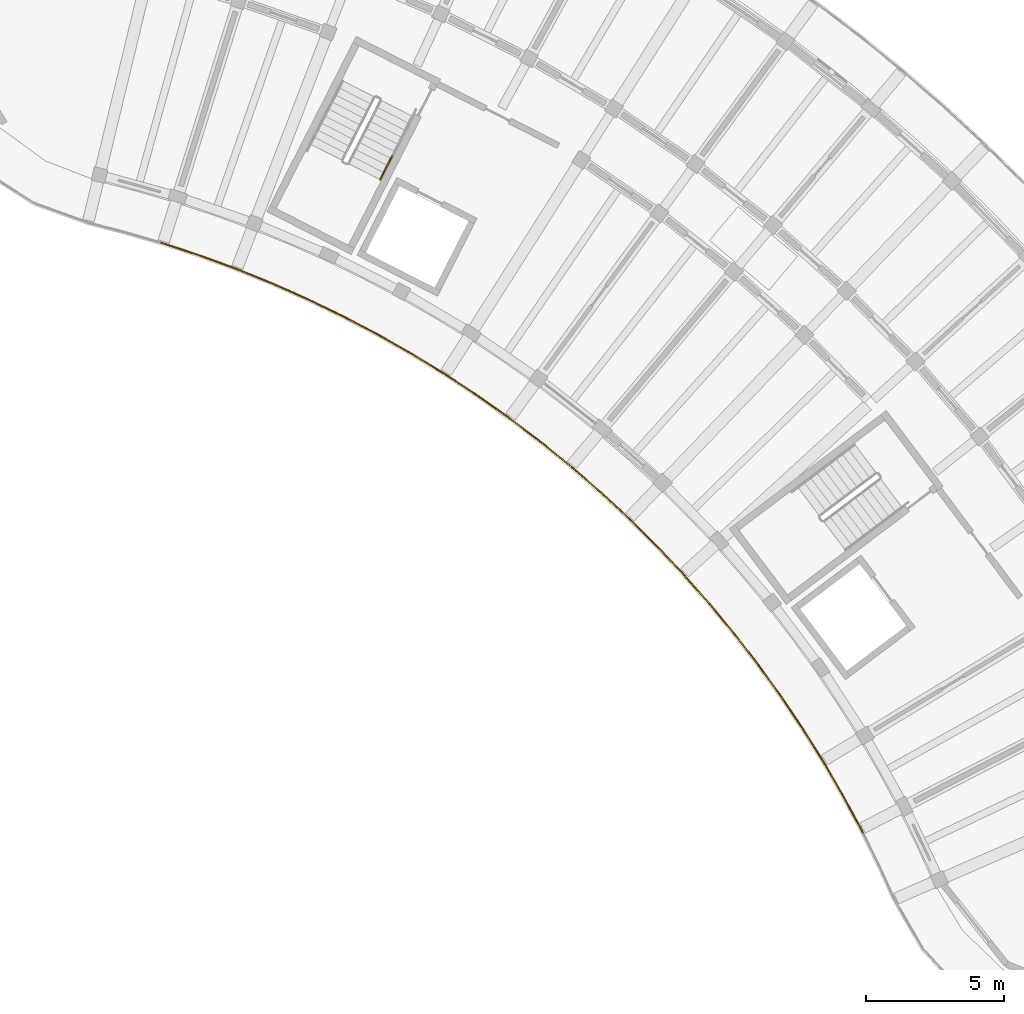
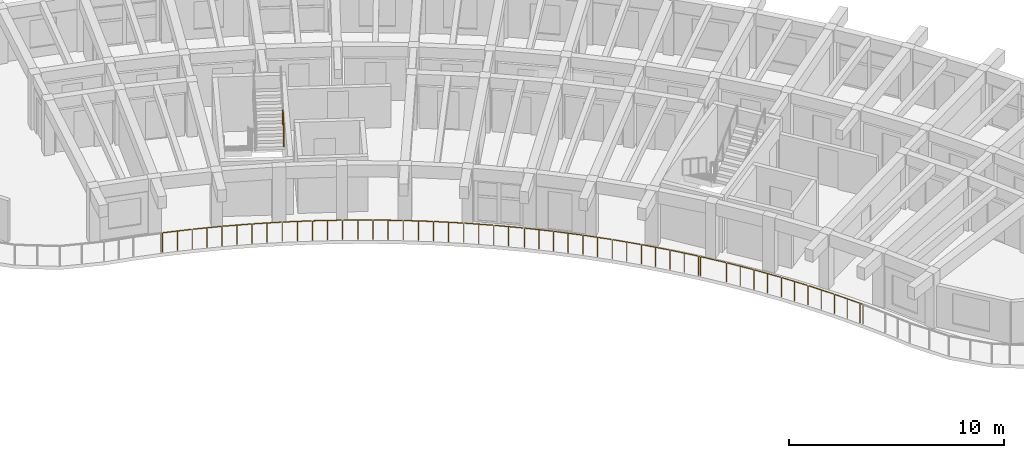
# One storey, part 58 of 62: 5 railings.
"""IFC4 building model written with IfcOpenShell, lengths in metres."""

import ifcopenshell
import ifcopenshell.guid

model = None  # the IFC model being written
_history = None  # IfcOwnerHistory: only IFC2X3 demands one
_inside = {}  # id of a spatial element -> (the spatial element, [elements in it])
_under = {}  # id of a project, library or spatial element -> (it, [spatial elements below it])
_declared = {}  # id of a project -> (the project, [libraries it declares])
_typed = {}  # id of a type object -> (the type object, [elements of that type])
_made_of = {}  # id of a material, layer set ... -> (it, [elements and type objects made of it])


def new_model(schema):
    """Start an empty IFC model of exactly this schema.

    Asked for "IFC4X3", IfcOpenShell would pick the latest addendum, in which some entities
    have other attributes; the version numbers below select the first issue.
    IFC2X3 requires an IfcOwnerHistory on every rooted entity: one is made here for all.
    """
    global model, _history
    if schema == "IFC4X3":
        model = ifcopenshell.file(schema_version=(4, 3, 0, 0))
    else:
        model = ifcopenshell.file(schema=schema)
    _inside.clear()
    _under.clear()
    _declared.clear()
    _typed.clear()
    _made_of.clear()
    _history = None
    if model.schema == "IFC2X3":
        org = make("IfcOrganization", Name="unknown")
        user = make(
            "IfcPersonAndOrganization",
            ThePerson=make("IfcPerson", FamilyName="unknown"),
            TheOrganization=org,
        )
        app = make(
            "IfcApplication",
            ApplicationDeveloper=org,
            Version="unknown",
            ApplicationFullName="unknown",
            ApplicationIdentifier="unknown",
        )
        _history = make(
            "IfcOwnerHistory",
            OwningUser=user,
            OwningApplication=app,
            ChangeAction="ADDED",
            CreationDate=0,
        )
    return model


def make(cls, **values):
    """One entity of the class cls with the attributes given. An attribute that is None is left unset."""
    return model.create_entity(
        cls, **{name: value for name, value in values.items() if value is not None}
    )


def rooted(cls, **values):
    """An entity with a GlobalId (a new one), such as an element, a storey or a relation."""
    return make(cls, GlobalId=ifcopenshell.guid.new(), OwnerHistory=_history, **values)


def si_unit(unit_type, name, prefix=None):
    """IfcSIUnit, for example si_unit("LENGTHUNIT", "METRE", prefix="MILLI")."""
    return make("IfcSIUnit", UnitType=unit_type, Prefix=prefix, Name=name)


def assignment(units):
    """IfcUnitAssignment: the units of a project."""
    return None if units is None else make("IfcUnitAssignment", Units=units)


def point(xyz):
    """IfcCartesianPoint."""
    return None if xyz is None else make("IfcCartesianPoint", Coordinates=xyz)


def direction(xyz):
    """IfcDirection."""
    return None if xyz is None else make("IfcDirection", DirectionRatios=xyz)


def frame(location, z_axis=None, x_axis=None):
    """IfcAxis2Placement3D, a coordinate frame: its origin and axes. An axis left out is left unset."""
    return make(
        "IfcAxis2Placement3D",
        Location=point(location),
        Axis=direction(z_axis),
        RefDirection=direction(x_axis),
    )


def frame_2d(location, x_axis=None):
    """IfcAxis2Placement2D, a coordinate frame in the plane: its origin and x axis."""
    return make(
        "IfcAxis2Placement2D", Location=point(location), RefDirection=direction(x_axis)
    )


def origin():
    """The frame at (0, 0, 0) with its axes left unset."""
    return frame((0.0, 0.0, 0.0))


def origin_2d():
    """The frame at (0, 0) in the plane with its x axis left unset."""
    return frame_2d((0.0, 0.0))


def place(relative_to, where):
    """IfcLocalPlacement: puts the frame where relative to a parent placement (None: the world)."""
    return make(
        "IfcLocalPlacement", PlacementRelTo=relative_to, RelativePlacement=where
    )


def context(
    kind, dimensions, precision=None, world=None, true_north=None, identifier=None
):
    """IfcGeometricRepresentationContext, for example the 3D "Model" context."""
    return make(
        "IfcGeometricRepresentationContext",
        ContextIdentifier=identifier,
        ContextType=kind,
        CoordinateSpaceDimension=dimensions,
        Precision=precision,
        WorldCoordinateSystem=world,
        TrueNorth=true_north,
    )


def subcontext(parent, identifier, kind, view, scale=None):
    """IfcGeometricRepresentationSubContext, for example "Body" below "Model"."""
    return make(
        "IfcGeometricRepresentationSubContext",
        ContextIdentifier=identifier,
        ContextType=kind,
        ParentContext=parent,
        TargetScale=scale,
        TargetView=view,
    )


def project(units=None, contexts=None):
    """IfcProject with its units and contexts."""
    return rooted(
        "IfcProject",
        Name="project",
        RepresentationContexts=contexts,
        UnitsInContext=assignment(units),
    )


def spatial(cls, under=None, at=None, **own):
    """A site, building, storey or space (cls), placed at a placement, below another one or the project."""
    s = rooted(cls, ObjectPlacement=at, **own)
    if under is not None:
        _under.setdefault(under.id(), (under, []))[1].append(s)
    return s


def profile(cls, at=None, kind="AREA", **sizes):
    """A parametric profile (cls). Its sizes go by their IFC names, for example OverallWidth=200.0."""
    return make(cls, ProfileType=kind, Position=at, **sizes)


def circle(**sizes):
    """IfcCircleProfileDef."""
    return profile("IfcCircleProfileDef", **sizes)


def extrude(swept, where, along, depth):
    """IfcExtrudedAreaSolid: the profile swept, set in the frame where, extruded along a direction by depth."""
    return make(
        "IfcExtrudedAreaSolid",
        SweptArea=swept,
        Position=where,
        ExtrudedDirection=direction(along),
        Depth=depth,
    )


def shape(context_of_items, identifier, shape_type, items):
    """IfcShapeRepresentation: the items that make up one representation, for example the "Body"."""
    return make(
        "IfcShapeRepresentation",
        ContextOfItems=context_of_items,
        RepresentationIdentifier=identifier,
        RepresentationType=shape_type,
        Items=items,
    )


def material(Name=None, Category=None):
    """IfcMaterial."""
    return make("IfcMaterial", Name=Name, Category=Category)


def made_of(thing, what):
    """Note that an element or type object is made of a material, layer set ...; save() writes the relation."""
    if what is not None:
        _made_of.setdefault(what.id(), (what, []))[1].append(thing)
    return thing


def type_object(cls, material=None, **own):
    """A type object (cls), such as IfcWallType, which elements share."""
    return made_of(rooted(cls, **own), material)


def element(
    cls,
    number,
    at=None,
    inside=None,
    cuts=None,
    type_object=None,
    material=None,
    context=None,
    identifier="Body",
    shape_type=None,
    held_by="IfcProductDefinitionShape",
    body=None,
    shapes=None,
    **own,
):
    """One element of the class cls, such as IfcWall. Its Tag is "e" and its number.

    at: its placement. inside: the storey or other place that contains it. cuts: it is an
    opening in that element (IfcRelVoidsElement). A single representation is given by context,
    identifier, shape_type and body (its items); several are given by shapes. held_by: the class
    of the entity that holds the representations. save() writes the other relations.
    """
    e = rooted(cls, Tag="e%d" % number, ObjectPlacement=at, **own)
    if body is not None:
        shapes = [shape(context, identifier, shape_type, body)]
    if shapes is not None:
        e.Representation = make(held_by, Representations=shapes)
    if inside is not None:
        _inside.setdefault(inside.id(), (inside, []))[1].append(e)
    if cuts is not None:
        rooted(
            "IfcRelVoidsElement", RelatingBuildingElement=cuts, RelatedOpeningElement=e
        )
    if type_object is not None:
        _typed.setdefault(type_object.id(), (type_object, []))[1].append(e)
    return made_of(e, material)


def aggregate(whole, parts):
    """IfcRelAggregates: a whole, such as a stair, and the parts it consists of."""
    return rooted("IfcRelAggregates", RelatingObject=whole, RelatedObjects=parts)


def save(model, path):
    """Write the relations noted so far, then the file.

    IfcRelAggregates (storeys below a building ...), IfcRelContainedInSpatialStructure (elements
    in a storey), IfcRelDefinesByType, IfcRelAssociatesMaterial and IfcRelDeclares: one each for
    every whole, place, type object, material and project.
    """
    for whole, parts in _under.values():
        aggregate(whole, parts)
    for where, things in _inside.values():
        rooted(
            "IfcRelContainedInSpatialStructure",
            RelatedElements=things,
            RelatingStructure=where,
        )
    for kind, things in _typed.values():
        rooted("IfcRelDefinesByType", RelatedObjects=things, RelatingType=kind)
    for what, things in _made_of.values():
        rooted("IfcRelAssociatesMaterial", RelatedObjects=things, RelatingMaterial=what)
    for by, libraries in _declared.values():
        rooted("IfcRelDeclares", RelatingContext=by, RelatedDefinitions=libraries)
    model.write(path)


model = new_model("IFC4")

# Units and contexts
model_context = context("Model", 3, precision=1e-05, world=origin(), true_north=direction((0.0, 1.0)))
body_context = subcontext(model_context, "Body", "Model", "MODEL_VIEW")
ifc_project = project(units=[si_unit("LENGTHUNIT", "METRE"), si_unit("AREAUNIT", "SQUARE_METRE"), si_unit("VOLUMEUNIT", "CUBIC_METRE"), si_unit("PLANEANGLEUNIT", "RADIAN"), si_unit("MASSUNIT", "GRAM", prefix="KILO")], contexts=[model_context])

# Site, building, storey
site_placement = place(None, origin())
site = spatial("IfcSite", under=ifc_project, at=site_placement, CompositionType="ELEMENT")
building_placement = place(site_placement, origin())
building = spatial("IfcBuilding", under=site, at=building_placement, Name="Tanwirah Colonnade Gardens", CompositionType="ELEMENT")
storey_placement = place(building_placement, frame((0.0, 0.0, 32.360107421875)))
storey = spatial("IfcBuildingStorey", under=building, at=storey_placement, Name="L09", CompositionType="ELEMENT", Elevation=32.360107421875)

# Railings
ifc_material_1 = material(Name="Precast concrete C40/50", Category="concrete")
railing_type_1 = type_object("IfcRailingType", Name="BAL-EXT112", PredefinedType="BALUSTRADE", material=ifc_material_1)
railing_1_placement = place(storey_placement, frame((158.985595703125, 79.654296875, 0.0)))
element("IfcRailing", 1, at=railing_1_placement, inside=storey, type_object=railing_type_1, Name="Block B L09 Balcony Ribbon Balustrade 2", PredefinedType="BALUSTRADE", context=body_context, shape_type="SweptSolid", body=[
    extrude(circle(Radius=0.02392578125, at=origin_2d()), frame((-0.013916015625, 0.028076171875, 1.09619140625), z_axis=(-0.444126723347, 0.895963980085, 0.0), x_axis=(-0.895963980085, -0.444126723347, 0.0)), (0.0, 0.0, 1.0), 0.095703125),
    extrude(circle(Radius=0.02392578125, at=origin_2d()), frame((-0.08642578125, 0.171630859375, 1.09619140625), z_axis=(-0.473716211853, 0.880677552018, 0.0), x_axis=(-0.880677552018, -0.473716211853, 0.0)), (0.0, 0.0, 1.0), 1.341796875),
    extrude(circle(Radius=0.02392578125, at=origin_2d()), frame((-0.753662109375, 1.41015625, 1.09619140625), z_axis=(-0.502378729104, 0.864647681165, 0.0), x_axis=(-0.864647681165, -0.502378729104, 0.0)), (0.0, 0.0, 1.0), 1.342041015625),
    extrude(circle(Radius=0.02392578125, at=origin_2d()), frame((-1.461669921875, 2.626220703125, 1.09619140625), z_axis=(-0.530764445851, 0.847519382091, 0.0), x_axis=(-0.847519382091, -0.530764445851, 0.0)), (0.0, 0.0, 1.0), 1.341796875),
    extrude(circle(Radius=0.02392578125, at=origin_2d()), frame((-2.20947265625, 3.81787109375, 1.09619140625), z_axis=(-0.558385571779, 0.829581553091, 0.0), x_axis=(-0.829581553091, -0.558385571779, 0.0)), (0.0, 0.0, 1.0), 1.341796875),
    extrude(circle(Radius=0.02392578125, at=origin_2d()), frame((-2.995849609375, 4.984619140625, 1.09619140625), z_axis=(-0.585522290474, 0.810656306556, 0.0), x_axis=(-0.810656306556, -0.585522290474, 0.0)), (0.0, 0.0, 1.0), 1.341796875),
    extrude(circle(Radius=0.02392578125, at=origin_2d()), frame((-3.8203125, 6.12451171875, 1.09619140625), z_axis=(-0.611852265723, 0.790972063305, 0.0), x_axis=(-0.790972063305, -0.611852265723, 0.0)), (0.0, 0.0, 1.0), 1.241943359375),
    extrude(circle(Radius=0.02099609375, at=origin_2d()), origin(), (0.0, 0.0, 1.0), 1.069091796875),
    extrude(circle(Radius=0.02099609375, at=origin_2d()), frame((-0.0703125, 0.141845703125, 0.0)), (0.0, 0.0, 1.0), 1.069091796875),
    extrude(circle(Radius=0.02099609375, at=origin_2d()), frame((-0.404296875, 0.762451171875, 0.0)), (0.0, 0.0, 1.0), 1.069091796875),
    extrude(circle(Radius=0.02099609375, at=origin_2d()), frame((-0.73681640625, 1.380859375, 0.0)), (0.0, 0.0, 1.0), 1.069091796875),
    extrude(circle(Radius=0.02099609375, at=origin_2d()), frame((-1.0908203125, 1.990234375, 0.0)), (0.0, 0.0, 1.0), 1.069091796875),
    extrude(circle(Radius=0.02099609375, at=origin_2d()), frame((-1.443603515625, 2.597412109375, 0.0)), (0.0, 0.0, 1.0), 1.069091796875),
    extrude(circle(Radius=0.02099609375, at=origin_2d()), frame((-1.81787109375, 3.19482421875, 0.0)), (0.0, 0.0, 1.0), 1.069091796875),
    extrude(circle(Radius=0.02099609375, at=origin_2d()), frame((-2.1904296875, 3.789794921875, 0.0)), (0.0, 0.0, 1.0), 1.069091796875),
    extrude(circle(Radius=0.02099609375, at=origin_2d()), frame((-2.583984375, 4.37451171875, 0.0)), (0.0, 0.0, 1.0), 1.069091796875),
    extrude(circle(Radius=0.02099609375, at=origin_2d()), frame((-2.97607421875, 4.95703125, 0.0)), (0.0, 0.0, 1.0), 1.069091796875),
    extrude(circle(Radius=0.02099609375, at=origin_2d()), frame((-3.388671875, 5.5283203125, 0.0)), (0.0, 0.0, 1.0), 1.069091796875),
    extrude(circle(Radius=0.02099609375, at=origin_2d()), frame((-3.7998046875, 6.09765625, 0.0)), (0.0, 0.0, 1.0), 1.069091796875),
    extrude(circle(Radius=0.02099609375, at=origin_2d()), frame((-4.599365234375, 7.131591796875, 0.0)), (0.0, 0.0, 1.0), 1.069091796875),
])
railing_2_placement = place(storey_placement, frame((154.38623046875, 86.785888671875, 0.0)))
element("IfcRailing", 2, at=railing_2_placement, inside=storey, type_object=railing_type_1, Name="Block B L09 Balcony Ribbon Balustrade 3", PredefinedType="BALUSTRADE", context=body_context, shape_type="SweptSolid", body=[
    extrude(circle(Radius=0.02392578125, at=origin_2d()), frame((-0.01904296875, 0.024658203125, 1.09619140625), z_axis=(-0.610890988674, 0.791714721321, 0.0), x_axis=(-0.791714721321, -0.610890988674, 0.0)), (0.0, 0.0, 1.0), 0.037353515625),
    extrude(circle(Radius=0.02392578125, at=origin_2d()), frame((-0.082763671875, 0.105224609375, 1.09619140625), z_axis=(-0.637581943595, 0.770382544715, 0.0), x_axis=(-0.770382544715, -0.637581943595, 0.0)), (0.0, 0.0, 1.0), 1.342041015625),
    extrude(circle(Radius=0.02392578125, at=origin_2d()), frame((-0.980712890625, 1.1884765625, 1.09619140625), z_axis=(-0.662581384852, 0.748989925464, 0.0), x_axis=(-0.748989925464, -0.662581384852, 0.0)), (0.0, 0.0, 1.0), 1.341796875),
    extrude(circle(Radius=0.02392578125, at=origin_2d()), frame((-1.91357421875, 2.241455078125, 1.09619140625), z_axis=(-0.687011382404, 0.726646654466, 0.0), x_axis=(-0.726646654466, -0.687011382404, 0.0)), (0.0, 0.0, 1.0), 1.341796875),
    extrude(circle(Radius=0.02392578125, at=origin_2d()), frame((-2.880859375, 3.26318359375, 1.09619140625), z_axis=(-0.710488556831, 0.703708754111, 0.0), x_axis=(-0.703708754111, -0.710488556831, 0.0)), (0.0, 0.0, 1.0), 1.341796875),
    extrude(circle(Radius=0.02392578125, at=origin_2d()), frame((-3.88134765625, 4.25244140625, 1.09619140625), z_axis=(-0.73336899588, 0.679830799451, 0.0), x_axis=(-0.679830799451, -0.73336899588, 0.0)), (0.0, 0.0, 1.0), 1.342041015625),
    extrude(circle(Radius=0.02392578125, at=origin_2d()), frame((-4.9140625, 5.208251953125, 1.09619140625), z_axis=(-0.755334207586, 0.655339785799, 0.0), x_axis=(-0.655339785799, -0.755334207586, 0.0)), (0.0, 0.0, 1.0), 1.2998046875),
    extrude(circle(Radius=0.02099609375, at=origin_2d()), origin(), (0.0, 0.0, 1.0), 1.069091796875),
    extrude(circle(Radius=0.02099609375, at=origin_2d()), frame((-0.06103515625, 0.0791015625, 0.0)), (0.0, 0.0, 1.0), 1.069091796875),
    extrude(circle(Radius=0.02099609375, at=origin_2d()), frame((-0.510498046875, 0.6220703125, 0.0)), (0.0, 0.0, 1.0), 1.069091796875),
    extrude(circle(Radius=0.02099609375, at=origin_2d()), frame((-0.958251953125, 1.1630859375, 0.0)), (0.0, 0.0, 1.0), 1.069091796875),
    extrude(circle(Radius=0.02099609375, at=origin_2d()), frame((-1.42529296875, 1.69091796875, 0.0)), (0.0, 0.0, 1.0), 1.069091796875),
    extrude(circle(Radius=0.02099609375, at=origin_2d()), frame((-1.890380859375, 2.216796875, 0.0)), (0.0, 0.0, 1.0), 1.069091796875),
    extrude(circle(Radius=0.02099609375, at=origin_2d()), frame((-2.37451171875, 2.72900390625, 0.0)), (0.0, 0.0, 1.0), 1.069091796875),
    extrude(circle(Radius=0.02099609375, at=origin_2d()), frame((-2.85693359375, 3.2392578125, 0.0)), (0.0, 0.0, 1.0), 1.069091796875),
    extrude(circle(Radius=0.02099609375, at=origin_2d()), frame((-3.357421875, 3.7353515625, 0.0)), (0.0, 0.0, 1.0), 1.069091796875),
    extrude(circle(Radius=0.02099609375, at=origin_2d()), frame((-3.8564453125, 4.2294921875, 0.0)), (0.0, 0.0, 1.0), 1.069091796875),
    extrude(circle(Radius=0.02099609375, at=origin_2d()), frame((-4.37353515625, 4.70849609375, 0.0)), (0.0, 0.0, 1.0), 1.069091796875),
    extrude(circle(Radius=0.02099609375, at=origin_2d()), frame((-4.888427734375, 5.18603515625, 0.0)), (0.0, 0.0, 1.0), 1.069091796875),
    extrude(circle(Radius=0.02099609375, at=origin_2d()), frame((-5.40478515625, 5.63427734375, 0.0)), (0.0, 0.0, 1.0), 1.069091796875),
    extrude(circle(Radius=0.02099609375, at=origin_2d()), frame((-5.91943359375, 6.08056640625, 0.0)), (0.0, 0.0, 1.0), 1.069091796875),
])
railing_3_placement = place(storey_placement, frame((148.466796875, 92.866455078125, 0.0)))
element("IfcRailing", 3, at=railing_3_placement, inside=storey, type_object=railing_type_1, Name="Block B L09 Balcony Ribbon Balustrade 4", PredefinedType="BALUSTRADE", context=body_context, shape_type="SweptSolid", body=[
    extrude(circle(Radius=0.02392578125, at=origin_2d()), frame((-0.057861328125, 0.048828125, 1.09619140625), z_axis=(-0.776491375378, 0.630127879056, 0.0), x_axis=(-0.630127879056, -0.776491375378, 0.0)), (0.0, 0.0, 1.0), 1.342041015625),
    extrude(circle(Radius=0.02392578125, at=origin_2d()), frame((-1.151123046875, 0.934326171875, 1.09619140625), z_axis=(-0.796818244666, 0.604219070344, 0.0), x_axis=(-0.604219070344, -0.796818244666, 0.0)), (0.0, 0.0, 1.0), 1.342041015625),
    extrude(circle(Radius=0.02392578125, at=origin_2d()), frame((-2.273193359375, 1.78369140625, 1.09619140625), z_axis=(-0.816321661452, 0.577597563226, 0.0), x_axis=(-0.577597563226, -0.816321661452, 0.0)), (0.0, 0.0, 1.0), 1.341552734375),
    extrude(circle(Radius=0.02392578125, at=origin_2d()), frame((-3.422119140625, 2.59521484375, 1.09619140625), z_axis=(-0.834927342507, 0.550360184547, 0.0), x_axis=(-0.550360184547, -0.834927342507, 0.0)), (0.0, 0.0, 1.0), 1.341796875),
    extrude(circle(Radius=0.02392578125, at=origin_2d()), frame((-4.597412109375, 3.36865234375, 1.09619140625), z_axis=(-0.852623736113, 0.522525372223, 0.0), x_axis=(-0.522525372223, -0.852623736113, 0.0)), (0.0, 0.0, 1.0), 1.342041015625),
    extrude(circle(Radius=0.02392578125, at=origin_2d()), frame((-5.797607421875, 4.102783203125, 1.09619140625), z_axis=(-0.869342839865, 0.494209496848, 0.0), x_axis=(-0.494209496848, -0.869342839865, 0.0)), (0.0, 0.0, 1.0), 1.342041015625),
    extrude(circle(Radius=0.02099609375, at=origin_2d()), origin(), (0.0, 0.0, 1.0), 1.069091796875),
    extrude(circle(Radius=0.02099609375, at=origin_2d()), frame((-0.5791015625, 0.4716796875, 0.0)), (0.0, 0.0, 1.0), 1.069091796875),
    extrude(circle(Radius=0.02099609375, at=origin_2d()), frame((-1.124267578125, 0.9140625, 0.0)), (0.0, 0.0, 1.0), 1.069091796875),
    extrude(circle(Radius=0.02099609375, at=origin_2d()), frame((-1.685791015625, 1.33984375, 0.0)), (0.0, 0.0, 1.0), 1.069091796875),
    extrude(circle(Radius=0.02099609375, at=origin_2d()), frame((-2.245361328125, 1.76416015625, 0.0)), (0.0, 0.0, 1.0), 1.069091796875),
    extrude(circle(Radius=0.02099609375, at=origin_2d()), frame((-2.82080078125, 2.171142578125, 0.0)), (0.0, 0.0, 1.0), 1.069091796875),
    extrude(circle(Radius=0.02099609375, at=origin_2d()), frame((-3.393798828125, 2.57666015625, 0.0)), (0.0, 0.0, 1.0), 1.069091796875),
    extrude(circle(Radius=0.02099609375, at=origin_2d()), frame((-3.982421875, 2.964599609375, 0.0)), (0.0, 0.0, 1.0), 1.069091796875),
    extrude(circle(Radius=0.02099609375, at=origin_2d()), frame((-4.568603515625, 3.35107421875, 0.0)), (0.0, 0.0, 1.0), 1.069091796875),
    extrude(circle(Radius=0.02099609375, at=origin_2d()), frame((-5.16943359375, 3.71923828125, 0.0)), (0.0, 0.0, 1.0), 1.069091796875),
    extrude(circle(Radius=0.02099609375, at=origin_2d()), frame((-5.768310546875, 4.086181640625, 0.0)), (0.0, 0.0, 1.0), 1.069091796875),
    extrude(circle(Radius=0.02099609375, at=origin_2d()), frame((-6.380859375, 4.4345703125, 0.0)), (0.0, 0.0, 1.0), 1.069091796875),
    extrude(circle(Radius=0.02099609375, at=origin_2d()), frame((-6.991455078125, 4.781494140625, 0.0)), (0.0, 0.0, 1.0), 1.069091796875),
])
railing_4_placement = place(storey_placement, frame((141.4609375, 97.655517578125, 0.0)))
element("IfcRailing", 4, at=railing_4_placement, inside=storey, type_object=railing_type_1, Name="Block B L09 Balcony Ribbon Balustrade 5", PredefinedType="BALUSTRADE", context=body_context, shape_type="SweptSolid", body=[
    extrude(circle(Radius=0.02392578125, at=origin_2d()), frame((-0.027587890625, 0.0146484375, 1.09619140625), z_axis=(-0.885222649043, 0.465167562951, 0.0), x_axis=(-0.465167562951, -0.885222649043, 0.0)), (0.0, 0.0, 1.0), 1.328369140625),
    extrude(circle(Radius=0.02392578125, at=origin_2d()), frame((-1.261474609375, 0.661865234375, 1.09619140625), z_axis=(-0.900124070825, 0.43563362717, 0.0), x_axis=(-0.43563362717, -0.900124070825, 0.0)), (0.0, 0.0, 1.0), 1.341796875),
    extrude(circle(Radius=0.02392578125, at=origin_2d()), frame((-2.5283203125, 1.27392578125, 1.09619140625), z_axis=(-0.913997826773, 0.40571908096, 0.0), x_axis=(-0.40571908096, -0.913997826773, 0.0)), (0.0, 0.0, 1.0), 1.342041015625),
    extrude(circle(Radius=0.02392578125, at=origin_2d()), frame((-3.814697265625, 1.84375, 1.09619140625), z_axis=(-0.92683738147, 0.375463005247, 0.0), x_axis=(-0.375463005247, -0.92683738147, 0.0)), (0.0, 0.0, 1.0), 1.342041015625),
    extrude(circle(Radius=0.02392578125, at=origin_2d()), frame((-5.119140625, 2.37109375, 1.09619140625), z_axis=(-0.93868698515, 0.344770567059, 0.0), x_axis=(-0.344770567059, -0.93868698515, 0.0)), (0.0, 0.0, 1.0), 1.341796875),
    extrude(circle(Radius=0.02392578125, at=origin_2d()), frame((-6.4404296875, 2.855224609375, 1.09619140625), z_axis=(-0.949531842797, 0.313670654533, 0.0), x_axis=(-0.313670654533, -0.949531842797, 0.0)), (0.0, 0.0, 1.0), 1.341552734375),
    extrude(circle(Radius=0.02392578125, at=origin_2d()), frame((-7.776611328125, 3.29541015625, 1.09619140625), z_axis=(-0.959038783003, 0.283274800673, 0.0), x_axis=(-0.283274800673, -0.959038783003, 0.0)), (0.0, 0.0, 1.0), 0.009033203125),
    extrude(circle(Radius=0.02099609375, at=origin_2d()), origin(), (0.0, 0.0, 1.0), 1.069091796875),
    extrude(circle(Radius=0.02099609375, at=origin_2d()), frame((-0.61572265625, 0.323486328125, 0.0)), (0.0, 0.0, 1.0), 1.069091796875),
    extrude(circle(Radius=0.02099609375, at=origin_2d()), frame((-1.231201171875, 0.64697265625, 0.0)), (0.0, 0.0, 1.0), 1.069091796875),
    extrude(circle(Radius=0.02099609375, at=origin_2d()), frame((-1.865478515625, 0.9541015625, 0.0)), (0.0, 0.0, 1.0), 1.069091796875),
    extrude(circle(Radius=0.02099609375, at=origin_2d()), frame((-2.49755859375, 1.260009765625, 0.0)), (0.0, 0.0, 1.0), 1.069091796875),
    extrude(circle(Radius=0.02099609375, at=origin_2d()), frame((-3.1416015625, 1.546142578125, 0.0)), (0.0, 0.0, 1.0), 1.069091796875),
    extrude(circle(Radius=0.02099609375, at=origin_2d()), frame((-3.783447265625, 1.8310546875, 0.0)), (0.0, 0.0, 1.0), 1.069091796875),
    extrude(circle(Radius=0.02099609375, at=origin_2d()), frame((-4.4365234375, 2.095703125, 0.0)), (0.0, 0.0, 1.0), 1.069091796875),
    extrude(circle(Radius=0.02099609375, at=origin_2d()), frame((-5.08740234375, 2.359375, 0.0)), (0.0, 0.0, 1.0), 1.069091796875),
    extrude(circle(Radius=0.02099609375, at=origin_2d()), frame((-5.7490234375, 2.6025390625, 0.0)), (0.0, 0.0, 1.0), 1.069091796875),
    extrude(circle(Radius=0.02099609375, at=origin_2d()), frame((-6.407958984375, 2.844482421875, 0.0)), (0.0, 0.0, 1.0), 1.069091796875),
    extrude(circle(Radius=0.02099609375, at=origin_2d()), frame((-7.0771484375, 3.065673828125, 0.0)), (0.0, 0.0, 1.0), 1.069091796875),
    extrude(circle(Radius=0.02099609375, at=origin_2d()), frame((-7.743896484375, 3.285888671875, 0.0)), (0.0, 0.0, 1.0), 1.069091796875),
    extrude(circle(Radius=0.02099609375, at=origin_2d()), frame((-7.815185546875, 3.306884765625, 0.0)), (0.0, 0.0, 1.0), 1.069091796875),
])
ifc_material_2 = material(Name="Brushed bronze stainless steel", Category="steel")
railing_type_2 = type_object("IfcRailingType", Name="HR-ST090", PredefinedType="HANDRAIL", material=ifc_material_2)
railing_5_placement = place(storey_placement, frame((141.552490234375, 103.24609375, 1.847900390625)))
element("IfcRailing", 5, at=railing_5_placement, inside=storey, type_object=railing_type_2, Name="L09 ST-B2 stair handrail 4", PredefinedType="HANDRAIL", context=body_context, shape_type="SweptSolid", body=[
    extrude(circle(Radius=0.02392578125, at=origin_2d()), frame((0.01220703125, 0.02392578125, 0.891845703125), z_axis=(0.390117538533, 0.765442844423, 0.51176709356), x_axis=(-0.890957114254, 0.454087459154, 0.0)), (0.0, 0.0, 1.0), 1.043212890625),
    extrude(circle(Radius=0.02099609375, at=origin_2d()), origin(), (0.0, 0.0, 1.0), 0.848876953125),
    extrude(circle(Radius=0.02099609375, at=origin_2d()), frame((0.431396484375, 0.846435546875, 0.56591796875)), (0.0, 0.0, 1.0), 0.848876953125),
])

save(model, "model.ifc")
